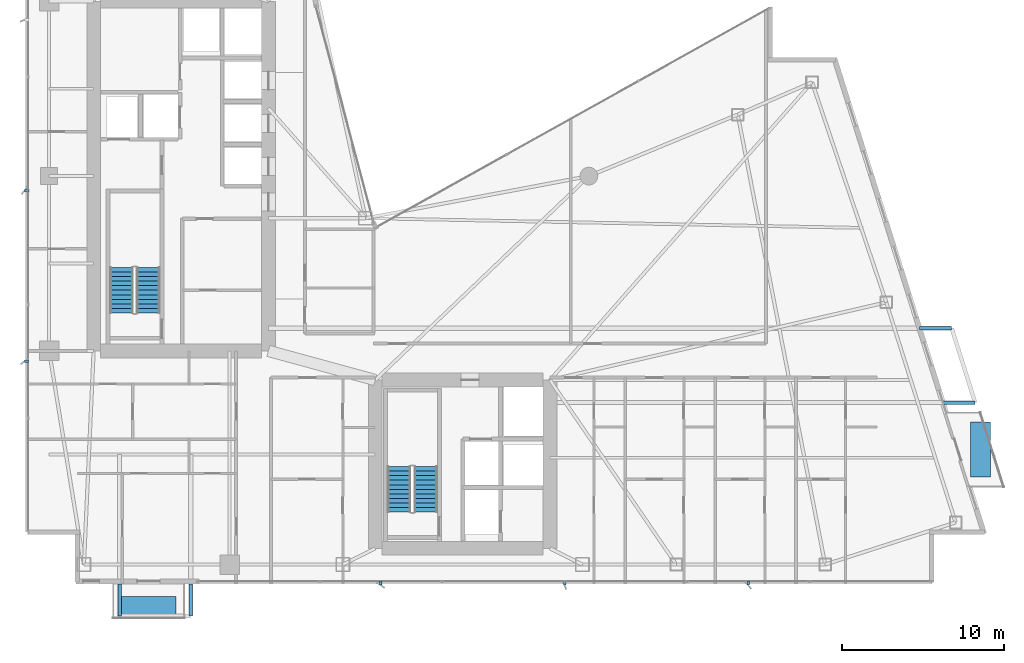
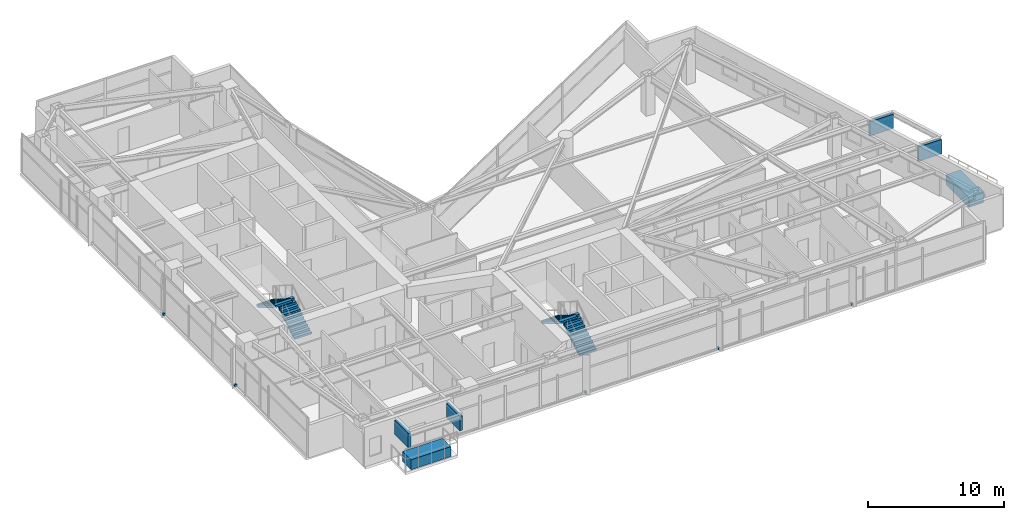
# One storey, part 26 of 29: 11 discrete accessories, 4 stair flights, 2 elements without a shape of their own.
"""IFC4 building model written with IfcOpenShell, lengths in metres."""

from ifc_helpers import new_model, si_unit, direction, frame, origin, origin_2d, place, context, subcontext, project, spatial, polyline, rectangle, outline, extrude, material, type_object, element, aggregate, save


model = new_model("IFC4")

# Units and contexts
model_context = context("Model", 3, precision=1e-05, world=origin(), true_north=direction((0.0, 1.0)))
body_context = subcontext(model_context, "Body", "Model", "MODEL_VIEW")
ifc_project = project(units=[si_unit("LENGTHUNIT", "METRE"), si_unit("AREAUNIT", "SQUARE_METRE"), si_unit("VOLUMEUNIT", "CUBIC_METRE"), si_unit("PLANEANGLEUNIT", "RADIAN"), si_unit("MASSUNIT", "GRAM", prefix="KILO")], contexts=[model_context])

# Site, building, storey
site_placement = place(None, origin())
site = spatial("IfcSite", under=ifc_project, at=site_placement, CompositionType="ELEMENT")
building_placement = place(site_placement, origin())
building = spatial("IfcBuilding", under=site, at=building_placement, Name="Calvorn Quay Hotel", CompositionType="ELEMENT")
storey_placement = place(building_placement, frame((0.0, 0.0, 171.300048828125)))
storey = spatial("IfcBuildingStorey", under=building, at=storey_placement, Name="L42", CompositionType="ELEMENT", Elevation=171.300048828125)

# Stair, stair flights
ifc_material_1 = material(Name="Concrete C40", Category="concrete")
stair_type = type_object("IfcStairType", Name="STR-CORE-DOGLEG", PredefinedType="HALF_TURN_STAIR", material=ifc_material_1)
stair_1_placement = place(storey_placement, origin())
stair_1 = element("IfcStair", 1, at=stair_1_placement, inside=storey, type_object=stair_type, Name="L42 ST-W", PredefinedType="HALF_TURN_STAIR")
ifc_material_2 = material(Name="Concrete C40", Category="concrete")
stair_flight_type = type_object("IfcStairFlightType", Name="FLT-CORE-1550", PredefinedType="STRAIGHT", material=ifc_material_2)
stair_flight_1_placement = place(storey_placement, frame((7.574951171875, 19.14990234375, 0.0), z_axis=(0.0, 0.0, 1.0), x_axis=(0.0, 1.0, 0.0)))
stair_flight_1 = element("IfcStairFlight", 2, at=stair_flight_1_placement, type_object=stair_flight_type, Name="ST-W flight 1", NumberOfRisers=11, NumberOfTreads=10, PredefinedType="STRAIGHT", RiserHeight=0.172727273, TreadLength=0.28, context=body_context, shape_type="SweptSolid", body=[
    extrude(outline(polyline([(0.0, 0.0), (0.0, 0.172607421875), (0.280029296875, 0.172607421875), (0.280029296875, 0.345458984375), (0.56005859375, 0.345458984375), (0.56005859375, 0.51806640625), (0.840087890625, 0.51806640625), (0.840087890625, 0.69091796875), (1.1201171875, 0.69091796875), (1.1201171875, 0.863525390625), (1.39990234375, 0.863525390625), (1.39990234375, 1.036376953125), (1.679931640625, 1.036376953125), (1.679931640625, 1.208984375), (1.9599609375, 1.208984375), (1.9599609375, 1.3818359375), (2.239990234375, 1.3818359375), (2.239990234375, 1.554443359375), (2.52001953125, 1.554443359375), (2.52001953125, 1.727294921875), (2.800048828125, 1.727294921875), (2.800048828125, 1.89990234375), (2.800048828125, 1.551025390625), (0.285400390625, 0.0), (0.0, 0.0)])), frame((0.0, 0.72509765625, 0.0), z_axis=(0.0, -1.0, 0.0), x_axis=(1.0, 0.0, 0.0)), (0.0, 0.0, 1.0), 1.449951171875),
])
stair_flight_2_placement = place(storey_placement, frame((5.925048828125, 21.949951171875, 1.89990234375), z_axis=(0.0, 0.0, 1.0), x_axis=(0.0, -1.0, 0.0)))
stair_flight_2 = element("IfcStairFlight", 3, at=stair_flight_2_placement, type_object=stair_flight_type, Name="ST-W flight 2", NumberOfRisers=11, NumberOfTreads=10, PredefinedType="STRAIGHT", RiserHeight=0.172727273, TreadLength=0.28, context=body_context, shape_type="SweptSolid", body=[
    extrude(outline(polyline([(0.0, 0.0), (0.0, 0.172607421875), (0.280029296875, 0.172607421875), (0.280029296875, 0.345458984375), (0.56005859375, 0.345458984375), (0.56005859375, 0.51806640625), (0.840087890625, 0.51806640625), (0.840087890625, 0.69091796875), (1.1201171875, 0.69091796875), (1.1201171875, 0.863525390625), (1.39990234375, 0.863525390625), (1.39990234375, 1.036376953125), (1.679931640625, 1.036376953125), (1.679931640625, 1.208984375), (1.9599609375, 1.208984375), (1.9599609375, 1.3818359375), (2.239990234375, 1.3818359375), (2.239990234375, 1.554443359375), (2.52001953125, 1.554443359375), (2.52001953125, 1.727294921875), (2.800048828125, 1.727294921875), (2.800048828125, 1.89990234375), (2.800048828125, 1.551025390625), (0.285400390625, 0.0), (0.0, 0.0)])), frame((0.0, 0.72509765625, 0.0), z_axis=(0.0, -1.0, 0.0), x_axis=(1.0, 0.0, 0.0)), (0.0, 0.0, 1.0), 1.449951171875),
])
aggregate(stair_1, [stair_flight_1, stair_flight_2])

stair_2_placement = place(storey_placement, origin())
stair_2 = element("IfcStair", 4, at=stair_2_placement, inside=storey, type_object=stair_type, Name="L42 ST-E", PredefinedType="HALF_TURN_STAIR")
stair_flight_3_placement = place(storey_placement, frame((24.72509765625, 6.85009765625, 0.0), z_axis=(0.0, 0.0, 1.0), x_axis=(0.0, 1.0, 0.0)))
stair_flight_3 = element("IfcStairFlight", 5, at=stair_flight_3_placement, type_object=stair_flight_type, Name="ST-E flight 1", NumberOfRisers=11, NumberOfTreads=10, PredefinedType="STRAIGHT", RiserHeight=0.172727273, TreadLength=0.28, context=body_context, shape_type="SweptSolid", body=[
    extrude(outline(polyline([(0.0, 0.0), (0.0, 0.172607421875), (0.280029296875, 0.172607421875), (0.280029296875, 0.345458984375), (0.56005859375, 0.345458984375), (0.56005859375, 0.51806640625), (0.840087890625, 0.51806640625), (0.840087890625, 0.69091796875), (1.1201171875, 0.69091796875), (1.1201171875, 0.863525390625), (1.39990234375, 0.863525390625), (1.39990234375, 1.036376953125), (1.679931640625, 1.036376953125), (1.679931640625, 1.208984375), (1.9599609375, 1.208984375), (1.9599609375, 1.3818359375), (2.239990234375, 1.3818359375), (2.239990234375, 1.554443359375), (2.52001953125, 1.554443359375), (2.52001953125, 1.727294921875), (2.800048828125, 1.727294921875), (2.800048828125, 1.89990234375), (2.800048828125, 1.551025390625), (0.285400390625, 0.0), (0.0, 0.0)])), frame((0.0, 0.72509765625, 0.0), z_axis=(0.0, -1.0, 0.0), x_axis=(1.0, 0.0, 0.0)), (0.0, 0.0, 1.0), 1.449951171875),
])
stair_flight_4_placement = place(storey_placement, frame((23.074951171875, 9.64990234375, 1.89990234375), z_axis=(0.0, 0.0, 1.0), x_axis=(0.0, -1.0, 0.0)))
stair_flight_4 = element("IfcStairFlight", 6, at=stair_flight_4_placement, type_object=stair_flight_type, Name="ST-E flight 2", NumberOfRisers=11, NumberOfTreads=10, PredefinedType="STRAIGHT", RiserHeight=0.172727273, TreadLength=0.28, context=body_context, shape_type="SweptSolid", body=[
    extrude(outline(polyline([(0.0, 0.0), (0.0, 0.172607421875), (0.280029296875, 0.172607421875), (0.280029296875, 0.345458984375), (0.56005859375, 0.345458984375), (0.56005859375, 0.51806640625), (0.840087890625, 0.51806640625), (0.840087890625, 0.69091796875), (1.1201171875, 0.69091796875), (1.1201171875, 0.863525390625), (1.39990234375, 0.863525390625), (1.39990234375, 1.036376953125), (1.679931640625, 1.036376953125), (1.679931640625, 1.208984375), (1.9599609375, 1.208984375), (1.9599609375, 1.3818359375), (2.239990234375, 1.3818359375), (2.239990234375, 1.554443359375), (2.52001953125, 1.554443359375), (2.52001953125, 1.727294921875), (2.800048828125, 1.727294921875), (2.800048828125, 1.89990234375), (2.800048828125, 1.551025390625), (0.285400390625, 0.0), (0.0, 0.0)])), frame((0.0, 0.72509765625, 0.0), z_axis=(0.0, -1.0, 0.0), x_axis=(1.0, 0.0, 0.0)), (0.0, 0.0, 1.0), 1.449951171875),
])
aggregate(stair_2, [stair_flight_3, stair_flight_4])

# Discrete accessories
ifc_material_3 = material(Name="Steel Q355B", Category="steel")
discrete_accessory_type_1 = type_object("IfcDiscreteAccessoryType", Name="ACC-BALC-STRUT", PredefinedType="BRACKET", material=ifc_material_3)
for number, where, z_axis, x_axis, name in (
    (7, (57.674072265625, 13.60009765625, 2.01513671875), (0.0, 0.0, 1.0), (1.0, 0.0, 0.0), "Exterior Balcony Steel Bracket L43-BALC-E-A"),
    (8, (56.22509765625, 18.199951171875, 2.01513671875), (0.0, 0.0, 1.0), (1.0, 0.0, 0.0), "Exterior Balcony Steel Bracket L43-BALC-E-B"),
):
    element("IfcDiscreteAccessory", number, at=place(storey_placement, frame(where, z_axis=z_axis, x_axis=x_axis)), inside=storey, type_object=discrete_accessory_type_1, Name=name, PredefinedType="BRACKET", context=body_context, shape_type="SweptSolid", body=[
        extrude(rectangle(XDim=1.989990234375, YDim=0.219970703125, at=origin_2d()), origin(), (0.0, 0.0, 1.0), 1.300048828125),
    ])
for number, where, z_axis, x_axis, name in (
    (9, (5.800048828125, 1.405029296875, 2.01513671875), (0.0, 0.0, 1.0), (1.0, 0.0, 0.0), "Exterior Balcony Steel Bracket L43-BALC-S-A"),
    (10, (10.199951171875, 1.405029296875, 2.01513671875), (0.0, 0.0, 1.0), (1.0, 0.0, 0.0), "Exterior Balcony Steel Bracket L43-BALC-S-B"),
):
    element("IfcDiscreteAccessory", number, at=place(storey_placement, frame(where, z_axis=z_axis, x_axis=x_axis)), inside=storey, type_object=discrete_accessory_type_1, Name=name, PredefinedType="BRACKET", context=body_context, shape_type="SweptSolid", body=[
        extrude(rectangle(XDim=0.219970703125, YDim=1.989990234375, at=origin_2d()), origin(), (0.0, 0.0, 1.0), 1.300048828125),
    ])
ifc_material_4 = material(Name="Steel Q355B", Category="steel")
discrete_accessory_type_2 = type_object("IfcDiscreteAccessoryType", Name="ACC-FIN-BRACKET", PredefinedType="BRACKET", material=ifc_material_4)
for number, where, z_axis, x_axis, name in (
    (11, (0.06005859375, 16.14990234375, 0.02978515625), (0.0, 0.0, 1.0), (1.0, 0.0, 0.0), "Fin Anchor Bracket L42-W01"),
    (12, (0.06005859375, 26.699951171875, 0.02978515625), (0.0, 0.0, 1.0), (1.0, 0.0, 0.0), "Fin Anchor Bracket L42-W02"),
    (13, (21.949951171875, 2.4599609375, 0.02978515625), (0.0, 0.0, 1.0), (0.0, 1.0, 0.0), "Fin Anchor Bracket L42-S01"),
    (14, (33.300048828125, 2.4599609375, 0.02978515625), (0.0, 0.0, 1.0), (0.0, 1.0, 0.0), "Fin Anchor Bracket L42-S02"),
    (15, (44.64990234375, 2.4599609375, 0.02978515625), (0.0, 0.0, 1.0), (0.0, 1.0, 0.0), "Fin Anchor Bracket L42-S03"),
):
    element("IfcDiscreteAccessory", number, at=place(storey_placement, frame(where, z_axis=z_axis, x_axis=x_axis)), inside=storey, type_object=discrete_accessory_type_2, Name=name, PredefinedType="BRACKET", context=body_context, shape_type="SweptSolid", body=[
        extrude(rectangle(XDim=0.239990234375, YDim=0.159912109375, at=origin_2d()), origin(), (0.0, 0.0, 1.0), 0.179931640625),
    ])
ifc_material_5 = material(Name="Precast concrete C40", Category="concrete")
discrete_accessory_type_3 = type_object("IfcDiscreteAccessoryType", Name="ACC-TREE-PLANTER", PredefinedType="USERDEFINED", material=ifc_material_5)
discrete_accessory_1_placement = place(storey_placement, frame((59.0029296875, 10.699951171875, 0.0), z_axis=(0.0, 0.0, 1.0), x_axis=(1.0, 0.0, 0.0)))
element("IfcDiscreteAccessory", 16, at=discrete_accessory_1_placement, inside=storey, type_object=discrete_accessory_type_3, Name="Subtropical Tree Structural Planter L42-BALC-E", ObjectType="PLANTER", PredefinedType="USERDEFINED", context=body_context, shape_type="SweptSolid", body=[
    extrude(rectangle(XDim=1.25, YDim=3.39990234375, at=origin_2d()), origin(), (0.0, 0.0, 1.0), 0.89990234375),
])
discrete_accessory_2_placement = place(storey_placement, frame((7.60009765625, 0.989990234375, 0.0), z_axis=(0.0, 0.0, 1.0), x_axis=(1.0, 0.0, 0.0)))
element("IfcDiscreteAccessory", 17, at=discrete_accessory_2_placement, inside=storey, type_object=discrete_accessory_type_3, Name="Subtropical Tree Structural Planter L42-BALC-S", ObjectType="PLANTER", PredefinedType="USERDEFINED", context=body_context, shape_type="SweptSolid", body=[
    extrude(rectangle(XDim=3.39990234375, YDim=1.25, at=origin_2d()), origin(), (0.0, 0.0, 1.0), 0.89990234375),
])

save(model, "model.ifc")
